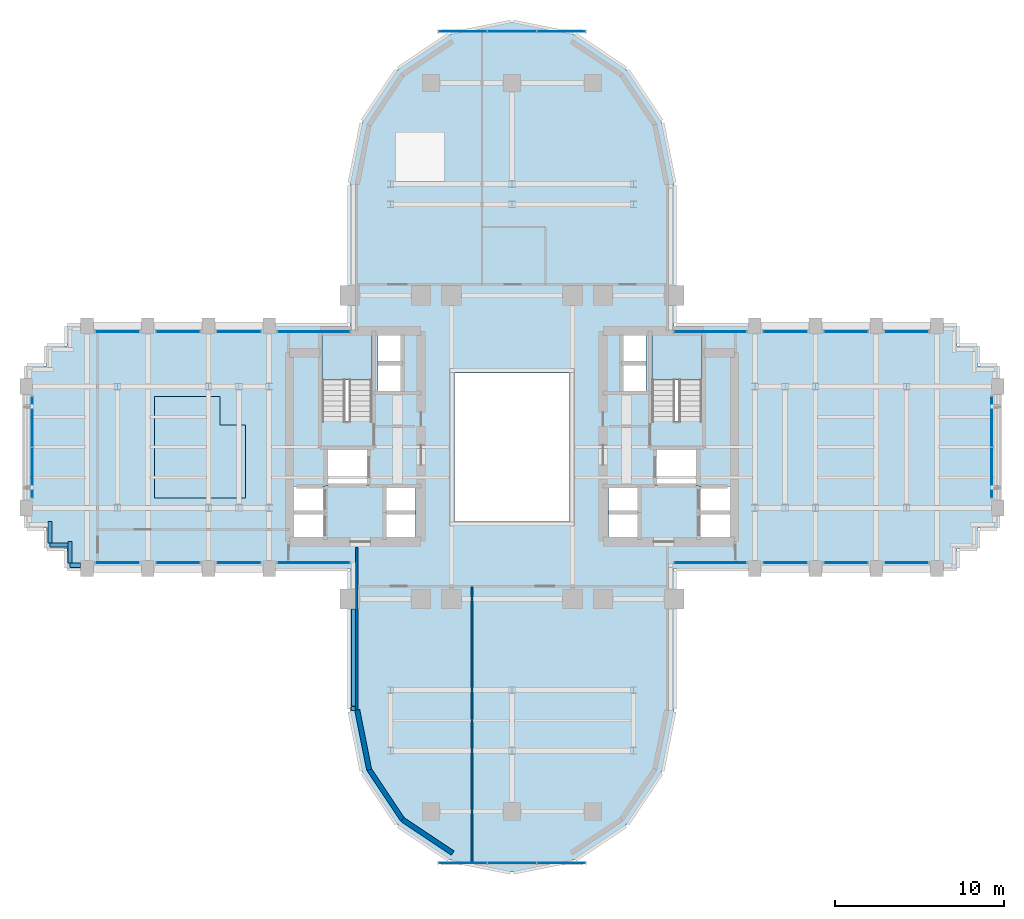
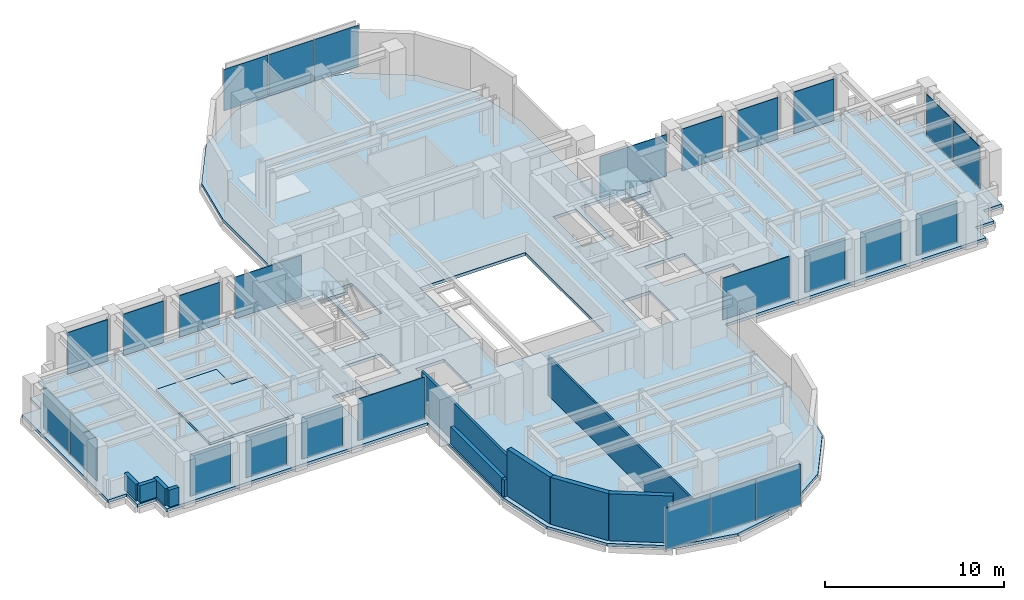
# One storey, part 9 of 16: 26 plates, 11 walls, 4 slabs, 22 elements without a shape of their own.
"""IFC4 building model written with IfcOpenShell, lengths in metres."""

import ifcopenshell
import ifcopenshell.guid

model = None  # the IFC model being written
_history = None  # IfcOwnerHistory: only IFC2X3 demands one
_inside = {}  # id of a spatial element -> (the spatial element, [elements in it])
_under = {}  # id of a project, library or spatial element -> (it, [spatial elements below it])
_declared = {}  # id of a project -> (the project, [libraries it declares])
_typed = {}  # id of a type object -> (the type object, [elements of that type])
_made_of = {}  # id of a material, layer set ... -> (it, [elements and type objects made of it])


def new_model(schema):
    """Start an empty IFC model of exactly this schema.

    Asked for "IFC4X3", IfcOpenShell would pick the latest addendum, in which some entities
    have other attributes; the version numbers below select the first issue.
    IFC2X3 requires an IfcOwnerHistory on every rooted entity: one is made here for all.
    """
    global model, _history
    if schema == "IFC4X3":
        model = ifcopenshell.file(schema_version=(4, 3, 0, 0))
    else:
        model = ifcopenshell.file(schema=schema)
    _inside.clear()
    _under.clear()
    _declared.clear()
    _typed.clear()
    _made_of.clear()
    _history = None
    if model.schema == "IFC2X3":
        org = make("IfcOrganization", Name="unknown")
        user = make(
            "IfcPersonAndOrganization",
            ThePerson=make("IfcPerson", FamilyName="unknown"),
            TheOrganization=org,
        )
        app = make(
            "IfcApplication",
            ApplicationDeveloper=org,
            Version="unknown",
            ApplicationFullName="unknown",
            ApplicationIdentifier="unknown",
        )
        _history = make(
            "IfcOwnerHistory",
            OwningUser=user,
            OwningApplication=app,
            ChangeAction="ADDED",
            CreationDate=0,
        )
    return model


def make(cls, **values):
    """One entity of the class cls with the attributes given. An attribute that is None is left unset."""
    return model.create_entity(
        cls, **{name: value for name, value in values.items() if value is not None}
    )


def rooted(cls, **values):
    """An entity with a GlobalId (a new one), such as an element, a storey or a relation."""
    return make(cls, GlobalId=ifcopenshell.guid.new(), OwnerHistory=_history, **values)


def si_unit(unit_type, name, prefix=None):
    """IfcSIUnit, for example si_unit("LENGTHUNIT", "METRE", prefix="MILLI")."""
    return make("IfcSIUnit", UnitType=unit_type, Prefix=prefix, Name=name)


def assignment(units):
    """IfcUnitAssignment: the units of a project."""
    return None if units is None else make("IfcUnitAssignment", Units=units)


def point(xyz):
    """IfcCartesianPoint."""
    return None if xyz is None else make("IfcCartesianPoint", Coordinates=xyz)


def direction(xyz):
    """IfcDirection."""
    return None if xyz is None else make("IfcDirection", DirectionRatios=xyz)


def frame(location, z_axis=None, x_axis=None):
    """IfcAxis2Placement3D, a coordinate frame: its origin and axes. An axis left out is left unset."""
    return make(
        "IfcAxis2Placement3D",
        Location=point(location),
        Axis=direction(z_axis),
        RefDirection=direction(x_axis),
    )


def frame_2d(location, x_axis=None):
    """IfcAxis2Placement2D, a coordinate frame in the plane: its origin and x axis."""
    return make(
        "IfcAxis2Placement2D", Location=point(location), RefDirection=direction(x_axis)
    )


def origin():
    """The frame at (0, 0, 0) with its axes left unset."""
    return frame((0.0, 0.0, 0.0))


def origin_2d():
    """The frame at (0, 0) in the plane with its x axis left unset."""
    return frame_2d((0.0, 0.0))


def place(relative_to, where):
    """IfcLocalPlacement: puts the frame where relative to a parent placement (None: the world)."""
    return make(
        "IfcLocalPlacement", PlacementRelTo=relative_to, RelativePlacement=where
    )


def context(
    kind, dimensions, precision=None, world=None, true_north=None, identifier=None
):
    """IfcGeometricRepresentationContext, for example the 3D "Model" context."""
    return make(
        "IfcGeometricRepresentationContext",
        ContextIdentifier=identifier,
        ContextType=kind,
        CoordinateSpaceDimension=dimensions,
        Precision=precision,
        WorldCoordinateSystem=world,
        TrueNorth=true_north,
    )


def subcontext(parent, identifier, kind, view, scale=None):
    """IfcGeometricRepresentationSubContext, for example "Body" below "Model"."""
    return make(
        "IfcGeometricRepresentationSubContext",
        ContextIdentifier=identifier,
        ContextType=kind,
        ParentContext=parent,
        TargetScale=scale,
        TargetView=view,
    )


def project(units=None, contexts=None):
    """IfcProject with its units and contexts."""
    return rooted(
        "IfcProject",
        Name="project",
        RepresentationContexts=contexts,
        UnitsInContext=assignment(units),
    )


def spatial(cls, under=None, at=None, **own):
    """A site, building, storey or space (cls), placed at a placement, below another one or the project."""
    s = rooted(cls, ObjectPlacement=at, **own)
    if under is not None:
        _under.setdefault(under.id(), (under, []))[1].append(s)
    return s


def polyline(points):
    """IfcPolyline through the points."""
    return make("IfcPolyline", Points=[point(p) for p in points])


def profile(cls, at=None, kind="AREA", **sizes):
    """A parametric profile (cls). Its sizes go by their IFC names, for example OverallWidth=200.0."""
    return make(cls, ProfileType=kind, Position=at, **sizes)


def rectangle(**sizes):
    """IfcRectangleProfileDef."""
    return profile("IfcRectangleProfileDef", **sizes)


def outline(outer, holes=None, kind="AREA"):
    """IfcArbitraryClosedProfileDef: a profile drawn as a closed curve; with holes, ...WithVoids."""
    if holes is None:
        return make("IfcArbitraryClosedProfileDef", ProfileType=kind, OuterCurve=outer)
    return make(
        "IfcArbitraryProfileDefWithVoids",
        ProfileType=kind,
        OuterCurve=outer,
        InnerCurves=holes,
    )


def extrude(swept, where, along, depth):
    """IfcExtrudedAreaSolid: the profile swept, set in the frame where, extruded along a direction by depth."""
    return make(
        "IfcExtrudedAreaSolid",
        SweptArea=swept,
        Position=where,
        ExtrudedDirection=direction(along),
        Depth=depth,
    )


def shape(context_of_items, identifier, shape_type, items):
    """IfcShapeRepresentation: the items that make up one representation, for example the "Body"."""
    return make(
        "IfcShapeRepresentation",
        ContextOfItems=context_of_items,
        RepresentationIdentifier=identifier,
        RepresentationType=shape_type,
        Items=items,
    )


def source(mapping_origin, context_of_items, identifier, shape_type, items):
    """IfcRepresentationMap: a shape defined once, which mapped items show again and again."""
    return make(
        "IfcRepresentationMap",
        MappingOrigin=mapping_origin,
        MappedRepresentation=shape(context_of_items, identifier, shape_type, items),
    )


def transform(
    local_origin,
    x_axis=None,
    y_axis=None,
    z_axis=None,
    scale=None,
    scale2=None,
    scale3=None,
    uniform=True,
):
    """IfcCartesianTransformationOperator3D, or its non-uniform kind. x_axis, y_axis, z_axis: its Axis1, 2, 3."""
    if uniform:
        return make(
            "IfcCartesianTransformationOperator3D",
            Axis1=direction(x_axis),
            Axis2=direction(y_axis),
            LocalOrigin=point(local_origin),
            Scale=scale,
            Axis3=direction(z_axis),
        )
    return make(
        "IfcCartesianTransformationOperator3DnonUniform",
        Axis1=direction(x_axis),
        Axis2=direction(y_axis),
        LocalOrigin=point(local_origin),
        Scale=scale,
        Axis3=direction(z_axis),
        Scale2=scale2,
        Scale3=scale3,
    )


def mapped(mapping_source, mapping_target):
    """IfcMappedItem: shows the shape of a source again, moved by a transform."""
    return make(
        "IfcMappedItem", MappingSource=mapping_source, MappingTarget=mapping_target
    )


def material(Name=None, Category=None):
    """IfcMaterial."""
    return make("IfcMaterial", Name=Name, Category=Category)


def layer(
    of_material, thickness, ventilated=None, Name=None, Category=None, Priority=None
):
    """IfcMaterialLayer: one layer of a wall or slab, of a material (None: an air gap)."""
    return make(
        "IfcMaterialLayer",
        Material=of_material,
        LayerThickness=thickness,
        IsVentilated=ventilated,
        Name=Name,
        Category=Category,
        Priority=Priority,
    )


def layer_set(layers, Name=None):
    """IfcMaterialLayerSet."""
    return make("IfcMaterialLayerSet", MaterialLayers=layers, LayerSetName=Name)


def made_of(thing, what):
    """Note that an element or type object is made of a material, layer set ...; save() writes the relation."""
    if what is not None:
        _made_of.setdefault(what.id(), (what, []))[1].append(thing)
    return thing


def type_object(cls, material=None, **own):
    """A type object (cls), such as IfcWallType, which elements share."""
    return made_of(rooted(cls, **own), material)


def element(
    cls,
    number,
    at=None,
    inside=None,
    cuts=None,
    type_object=None,
    material=None,
    context=None,
    identifier="Body",
    shape_type=None,
    held_by="IfcProductDefinitionShape",
    body=None,
    shapes=None,
    **own,
):
    """One element of the class cls, such as IfcWall. Its Tag is "e" and its number.

    at: its placement. inside: the storey or other place that contains it. cuts: it is an
    opening in that element (IfcRelVoidsElement). A single representation is given by context,
    identifier, shape_type and body (its items); several are given by shapes. held_by: the class
    of the entity that holds the representations. save() writes the other relations.
    """
    e = rooted(cls, Tag="e%d" % number, ObjectPlacement=at, **own)
    if body is not None:
        shapes = [shape(context, identifier, shape_type, body)]
    if shapes is not None:
        e.Representation = make(held_by, Representations=shapes)
    if inside is not None:
        _inside.setdefault(inside.id(), (inside, []))[1].append(e)
    if cuts is not None:
        rooted(
            "IfcRelVoidsElement", RelatingBuildingElement=cuts, RelatedOpeningElement=e
        )
    if type_object is not None:
        _typed.setdefault(type_object.id(), (type_object, []))[1].append(e)
    return made_of(e, material)


def aggregate(whole, parts):
    """IfcRelAggregates: a whole, such as a stair, and the parts it consists of."""
    return rooted("IfcRelAggregates", RelatingObject=whole, RelatedObjects=parts)


def save(model, path):
    """Write the relations noted so far, then the file.

    IfcRelAggregates (storeys below a building ...), IfcRelContainedInSpatialStructure (elements
    in a storey), IfcRelDefinesByType, IfcRelAssociatesMaterial and IfcRelDeclares: one each for
    every whole, place, type object, material and project.
    """
    for whole, parts in _under.values():
        aggregate(whole, parts)
    for where, things in _inside.values():
        rooted(
            "IfcRelContainedInSpatialStructure",
            RelatedElements=things,
            RelatingStructure=where,
        )
    for kind, things in _typed.values():
        rooted("IfcRelDefinesByType", RelatedObjects=things, RelatingType=kind)
    for what, things in _made_of.values():
        rooted("IfcRelAssociatesMaterial", RelatedObjects=things, RelatingMaterial=what)
    for by, libraries in _declared.values():
        rooted("IfcRelDeclares", RelatingContext=by, RelatedDefinitions=libraries)
    model.write(path)


model = new_model("IFC4")

# Units and contexts
model_context = context("Model", 3, precision=1e-05, world=origin(), true_north=direction((0.0, 1.0)))
body_context = subcontext(model_context, "Body", "Model", "MODEL_VIEW")
ifc_project = project(units=[si_unit("LENGTHUNIT", "METRE"), si_unit("AREAUNIT", "SQUARE_METRE"), si_unit("VOLUMEUNIT", "CUBIC_METRE"), si_unit("PLANEANGLEUNIT", "RADIAN"), si_unit("MASSUNIT", "GRAM", prefix="KILO")], contexts=[model_context])

# Site, building, storey
site_placement = place(None, origin())
site = spatial("IfcSite", under=ifc_project, at=site_placement, CompositionType="ELEMENT")
building_placement = place(site_placement, origin())
building = spatial("IfcBuilding", under=site, at=building_placement, Name="Keilestroom Media Tower", CompositionType="ELEMENT")
storey_placement = place(building_placement, frame((0.0, 0.0, 30.60009765625)))
storey = spatial("IfcBuildingStorey", under=building, at=storey_placement, Name="L06", CompositionType="ELEMENT", Elevation=30.60009765625)

# Slabs
ifc_material_1 = material(Name="Concrete C50/60", Category="concrete")
ifc_layer_1 = layer(ifc_material_1, 0.199951171875)
ifc_layer_set_1 = layer_set([ifc_layer_1], Name="Concrete C50/60")
slab_type_1 = type_object("IfcSlabType", Name="Composite-Floor-Slab-200", PredefinedType="FLOOR", material=ifc_layer_set_1)
slab_1_placement = place(storey_placement, frame((0.0, 0.0, -0.2001953125)))
element("IfcSlab", 1, at=slab_1_placement, inside=storey, type_object=slab_type_1, Name="L06 Structural Composite Floor Slab", PredefinedType="FLOOR", context=body_context, shape_type="SweptSolid", body=[
    extrude(outline(polyline([(28.800048828125, -4.800048828125), (28.800048828125, 4.800048828125), (27.60009765625, 4.800048828125), (27.60009765625, 6.0), (26.39990234375, 6.0), (26.39990234375, 7.199951171875), (9.60009765625, 7.199951171875), (9.60009765625, 9.60009765625), (9.60009765625, 15.60009765625), (8.869140625, 19.273681640625), (6.7880859375, 22.38818359375), (3.673828125, 24.46923828125), (0.0, 25.199951171875), (-3.673828125, 24.46923828125), (-6.7880859375, 22.38818359375), (-8.869140625, 19.273681640625), (-9.60009765625, 15.60009765625), (-9.60009765625, 9.60009765625), (-9.60009765625, 7.199951171875), (-26.39990234375, 7.199951171875), (-26.39990234375, 6.0), (-27.60009765625, 6.0), (-27.60009765625, 4.800048828125), (-28.800048828125, 4.800048828125), (-28.800048828125, -4.800048828125), (-27.60009765625, -4.800048828125), (-27.60009765625, -6.0), (-26.39990234375, -6.0), (-26.39990234375, -7.199951171875), (-9.60009765625, -7.199951171875), (-9.60009765625, -9.60009765625), (-9.60009765625, -15.60009765625), (-8.869140625, -19.273681640625), (-6.7880859375, -22.38818359375), (-3.673828125, -24.46923828125), (0.0, -25.199951171875), (3.673828125, -24.46923828125), (6.7880859375, -22.38818359375), (8.869140625, -19.273681640625), (9.60009765625, -15.60009765625), (9.60009765625, -9.60009765625), (9.60009765625, -7.199951171875), (26.39990234375, -7.199951171875), (26.39990234375, -6.0), (27.60009765625, -6.0), (27.60009765625, -4.800048828125), (28.800048828125, -4.800048828125)]), holes=[polyline([(-12.919921875, -5.47998046875), (-12.919921875, -2.320068359375), (-11.080078125, -2.320068359375), (-11.080078125, -5.47998046875), (-12.919921875, -5.47998046875)]), polyline([(-11.260009765625, 1.544921875), (-11.260009765625, 6.760009765625), (-8.300048828125, 6.760009765625), (-8.300048828125, 1.544921875), (-11.260009765625, 1.544921875)]), polyline([(-11.050048828125, -2.280029296875), (-11.050048828125, -0.10009765625), (-8.47998046875, -0.10009765625), (-8.47998046875, -2.280029296875), (-11.050048828125, -2.280029296875)]), polyline([(-7.949951171875, 3.300048828125), (-7.949951171875, 6.64990234375), (-6.47998046875, 6.64990234375), (-6.47998046875, 3.300048828125), (-7.949951171875, 3.300048828125)]), polyline([(-7.56005859375, -5.47998046875), (-7.56005859375, -2.320068359375), (-5.719970703125, -2.320068359375), (-5.719970703125, -5.47998046875), (-7.56005859375, -5.47998046875)]), polyline([(-3.39990234375, -4.39990234375), (-3.39990234375, 4.39990234375), (3.39990234375, 4.39990234375), (3.39990234375, -4.39990234375), (-3.39990234375, -4.39990234375)]), polyline([(5.719970703125, -5.47998046875), (5.719970703125, -2.320068359375), (7.56005859375, -2.320068359375), (7.56005859375, -5.47998046875), (5.719970703125, -5.47998046875)]), polyline([(7.949951171875, 6.64990234375), (7.949951171875, 3.300048828125), (6.47998046875, 3.300048828125), (6.47998046875, 6.64990234375), (7.949951171875, 6.64990234375)]), polyline([(8.300048828125, 6.760009765625), (11.260009765625, 6.760009765625), (11.260009765625, 1.544921875), (8.300048828125, 1.544921875), (8.300048828125, 6.760009765625)]), polyline([(8.47998046875, -2.280029296875), (8.47998046875, -0.10009765625), (11.050048828125, -0.10009765625), (11.050048828125, -2.280029296875), (8.47998046875, -2.280029296875)]), polyline([(12.919921875, -5.47998046875), (11.080078125, -5.47998046875), (11.080078125, -2.320068359375), (12.919921875, -2.320068359375), (12.919921875, -5.47998046875)])]), origin(), (0.0, 0.0, 1.0), 0.2001953125),
])
ifc_material_2 = material(Name="Concrete C45/55", Category="concrete")
ifc_layer_2 = layer(ifc_material_2, 0.14990234375)
ifc_layer_set_2 = layer_set([ifc_layer_2], Name="Concrete C45/55")
slab_type_2 = type_object("IfcSlabType", Name="Floating-Studio-Floor-Slab-150", PredefinedType="FLOOR", material=ifc_layer_set_2)
slab_2_placement = place(storey_placement, origin())
element("IfcSlab", 2, at=slab_2_placement, inside=storey, type_object=slab_type_2, Name="L06 Acoustic Floating Studio Slab ST-NWS-Z1", PredefinedType="FLOOR", context=body_context, shape_type="SweptSolid", body=[
    extrude(outline(polyline([(-21.199951171875, -3.0), (-15.800048828125, -3.0), (-15.800048828125, 1.320068359375), (-17.31201171875, 1.320068359375), (-17.31201171875, 3.0), (-21.199951171875, 3.0), (-21.199951171875, -3.0)])), origin(), (0.0, 0.0, 1.0), 0.14990234375),
])

# Stair, slab
stair_type = type_object("IfcStairType", Name="Enclosed-Dog-Leg-Stair-ST-CORE", PredefinedType="HALF_TURN_STAIR", material=ifc_material_2)
stair_1_placement = place(storey_placement, origin())
stair_1 = element("IfcStair", 3, at=stair_1_placement, inside=storey, type_object=stair_type, Name="L06 West Core Escape Stair ST-1", PredefinedType="HALF_TURN_STAIR")
ifc_layer_3 = layer(ifc_material_2, 0.199951171875)
ifc_layer_set_3 = layer_set([ifc_layer_3], Name="Concrete C45/55")
slab_type_3 = type_object("IfcSlabType", Name="Stair-Intermediate-And-Top-Landing-Slab-200", PredefinedType="LANDING", material=ifc_layer_set_3)
slab_3_placement = place(storey_placement, frame((0.0, 0.0, 1.5)))
slab_3 = element("IfcSlab", 4, at=slab_3_placement, type_object=slab_type_3, Name="ST-1 landing 1", PredefinedType="LANDING", context=body_context, shape_type="SweptSolid", body=[
    extrude(outline(polyline([(-8.300048828125, 3.99609375), (-8.300048828125, 6.760009765625), (-11.260009765625, 6.760009765625), (-11.260009765625, 3.99609375), (-8.300048828125, 3.99609375)])), origin(), (0.0, 0.0, 1.0), 0.199951171875),
])
aggregate(stair_1, [slab_3])

stair_2_placement = place(storey_placement, origin())
stair_2 = element("IfcStair", 5, at=stair_2_placement, inside=storey, type_object=stair_type, Name="L06 East Core Escape Stair ST-2", PredefinedType="HALF_TURN_STAIR")
slab_4_placement = place(storey_placement, frame((0.0, 0.0, 1.5)))
slab_4 = element("IfcSlab", 6, at=slab_4_placement, type_object=slab_type_3, Name="ST-2 landing 1", PredefinedType="LANDING", context=body_context, shape_type="SweptSolid", body=[
    extrude(outline(polyline([(11.260009765625, 3.99609375), (11.260009765625, 6.760009765625), (8.300048828125, 6.760009765625), (8.300048828125, 3.99609375), (11.260009765625, 3.99609375)])), origin(), (0.0, 0.0, 1.0), 0.199951171875),
])
aggregate(stair_2, [slab_4])

# Curtain wall, plates
ifc_material_3 = material(Name="Anodised Aluminium Alloy", Category="aluminium")
curtain_wall_type_1 = type_object("IfcCurtainWallType", Name="Unitised-Curtain-Wall-CW-1", PredefinedType="NOTDEFINED", material=ifc_material_3)
curtain_wall_1_placement = place(storey_placement, origin())
curtain_wall_1 = element("IfcCurtainWall", 7, at=curtain_wall_1_placement, inside=storey, type_object=curtain_wall_type_1, Name="L06 Curtain Wall CW-1 CW-L06-W-1", PredefinedType="NOTDEFINED")
ifc_material_4 = material(Name="Double Glazed Low-E Unit", Category="glass")
ifc_layer_4 = layer(ifc_material_4, 0.0439453125)
ifc_layer_set_4 = layer_set([ifc_layer_4], Name="Double Glazed Low-E Unit")
plate_type_1 = type_object("IfcPlateType", Name="Insulated-Curtain-Wall-Glazing-Panel-CW-1", PredefinedType="CURTAIN_PANEL", material=ifc_layer_set_4)
shared_shape_1 = source(origin(), body_context, "Body", "SweptSolid", [
    extrude(rectangle(XDim=2.968017578125, YDim=0.0439453125, at=origin_2d()), origin(), (0.0, 0.0, 1.0), 2.833984375),
])
plate_1_placement = place(storey_placement, frame((-28.449951171875, -1.514892578125, 0.072998046875), z_axis=(0.0, 0.0, 1.0), x_axis=(0.0, 1.0, 0.0)))
plate_1 = element("IfcPlate", 8, at=plate_1_placement, type_object=plate_type_1, Name="CW-1 Unitised Glazing 00", PredefinedType="CURTAIN_PANEL", context=body_context, shape_type="MappedRepresentation", body=[
    mapped(shared_shape_1, transform((0.0, 0.0, 0.0), x_axis=(1.0, 0.0, 0.0), y_axis=(0.0, 1.0, 0.0), z_axis=(0.0, 0.0, 1.0), scale=1.0)),
])
plate_2_placement = place(storey_placement, frame((-28.449951171875, 1.514892578125, 0.072998046875), z_axis=(0.0, 0.0, 1.0), x_axis=(0.0, 1.0, 0.0)))
plate_2 = element("IfcPlate", 9, at=plate_2_placement, type_object=plate_type_1, Name="CW-1 Unitised Glazing 01", PredefinedType="CURTAIN_PANEL", context=body_context, shape_type="MappedRepresentation", body=[
    mapped(shared_shape_1, transform((0.0, 0.0, 0.0), x_axis=(1.0, 0.0, 0.0), y_axis=(0.0, 1.0, 0.0), z_axis=(0.0, 0.0, 1.0), scale=1.0)),
])
aggregate(curtain_wall_1, [plate_1, plate_2])

curtain_wall_2_placement = place(storey_placement, origin())
curtain_wall_2 = element("IfcCurtainWall", 10, at=curtain_wall_2_placement, inside=storey, type_object=curtain_wall_type_1, Name="L06 Curtain Wall CW-1 CW-L06-E-1", PredefinedType="NOTDEFINED")
plate_3_placement = place(storey_placement, frame((28.449951171875, -1.514892578125, 0.072998046875), z_axis=(0.0, 0.0, 1.0), x_axis=(0.0, 1.0, 0.0)))
plate_3 = element("IfcPlate", 11, at=plate_3_placement, type_object=plate_type_1, Name="CW-1 Unitised Glazing 00", PredefinedType="CURTAIN_PANEL", context=body_context, shape_type="MappedRepresentation", body=[
    mapped(shared_shape_1, transform((0.0, 0.0, 0.0), x_axis=(1.0, 0.0, 0.0), y_axis=(0.0, 1.0, 0.0), z_axis=(0.0, 0.0, 1.0), scale=1.0)),
])
plate_4_placement = place(storey_placement, frame((28.449951171875, 1.514892578125, 0.072998046875), z_axis=(0.0, 0.0, 1.0), x_axis=(0.0, 1.0, 0.0)))
plate_4 = element("IfcPlate", 12, at=plate_4_placement, type_object=plate_type_1, Name="CW-1 Unitised Glazing 01", PredefinedType="CURTAIN_PANEL", context=body_context, shape_type="MappedRepresentation", body=[
    mapped(shared_shape_1, transform((0.0, 0.0, 0.0), x_axis=(1.0, 0.0, 0.0), y_axis=(0.0, 1.0, 0.0), z_axis=(0.0, 0.0, 1.0), scale=1.0)),
])
aggregate(curtain_wall_2, [plate_3, plate_4])

# Curtain wall, plate
curtain_wall_3_placement = place(storey_placement, origin())
curtain_wall_3 = element("IfcCurtainWall", 13, at=curtain_wall_3_placement, inside=storey, type_object=curtain_wall_type_1, Name="L06 Curtain Wall CW-1 CW-L06-NW-1", PredefinedType="NOTDEFINED")
shared_shape_2 = source(origin(), body_context, "Body", "SweptSolid", [
    extrude(rectangle(XDim=2.597900390625, YDim=0.0439453125, at=origin_2d()), origin(), (0.0, 0.0, 1.0), 2.833984375),
])
plate_5_placement = place(storey_placement, frame((-23.39990234375, 6.85009765625, 0.072998046875), z_axis=(0.0, 0.0, 1.0), x_axis=(1.0, 0.0, 0.0)))
plate_5 = element("IfcPlate", 14, at=plate_5_placement, type_object=plate_type_1, Name="CW-1 Unitised Glazing 00", PredefinedType="CURTAIN_PANEL", context=body_context, shape_type="MappedRepresentation", body=[
    mapped(shared_shape_2, transform((0.0, 0.0, 0.0), x_axis=(1.0, 0.0, 0.0), y_axis=(0.0, 1.0, 0.0), z_axis=(0.0, 0.0, 1.0), scale=1.0)),
])
aggregate(curtain_wall_3, [plate_5])

curtain_wall_4_placement = place(storey_placement, origin())
curtain_wall_4 = element("IfcCurtainWall", 15, at=curtain_wall_4_placement, inside=storey, type_object=curtain_wall_type_1, Name="L06 Curtain Wall CW-1 CW-L06-NW-2", PredefinedType="NOTDEFINED")
plate_6_placement = place(storey_placement, frame((-19.800048828125, 6.85009765625, 0.072998046875), z_axis=(0.0, 0.0, 1.0), x_axis=(1.0, 0.0, 0.0)))
plate_6 = element("IfcPlate", 16, at=plate_6_placement, type_object=plate_type_1, Name="CW-1 Unitised Glazing 00", PredefinedType="CURTAIN_PANEL", context=body_context, shape_type="MappedRepresentation", body=[
    mapped(shared_shape_2, transform((0.0, 0.0, 0.0), x_axis=(1.0, 0.0, 0.0), y_axis=(0.0, 1.0, 0.0), z_axis=(0.0, 0.0, 1.0), scale=1.0)),
])
aggregate(curtain_wall_4, [plate_6])

curtain_wall_5_placement = place(storey_placement, origin())
curtain_wall_5 = element("IfcCurtainWall", 17, at=curtain_wall_5_placement, inside=storey, type_object=curtain_wall_type_1, Name="L06 Curtain Wall CW-1 CW-L06-NW-3", PredefinedType="NOTDEFINED")
plate_7_placement = place(storey_placement, frame((-16.199951171875, 6.85009765625, 0.072998046875), z_axis=(0.0, 0.0, 1.0), x_axis=(1.0, 0.0, 0.0)))
plate_7 = element("IfcPlate", 18, at=plate_7_placement, type_object=plate_type_1, Name="CW-1 Unitised Glazing 00", PredefinedType="CURTAIN_PANEL", context=body_context, shape_type="MappedRepresentation", body=[
    mapped(shared_shape_2, transform((0.0, 0.0, 0.0), x_axis=(1.0, 0.0, 0.0), y_axis=(0.0, 1.0, 0.0), z_axis=(0.0, 0.0, 1.0), scale=1.0)),
])
aggregate(curtain_wall_5, [plate_7])

curtain_wall_6_placement = place(storey_placement, origin())
curtain_wall_6 = element("IfcCurtainWall", 19, at=curtain_wall_6_placement, inside=storey, type_object=curtain_wall_type_1, Name="L06 Curtain Wall CW-1 CW-L06-NE-2", PredefinedType="NOTDEFINED")
plate_8_placement = place(storey_placement, frame((16.199951171875, 6.85009765625, 0.072998046875), z_axis=(0.0, 0.0, 1.0), x_axis=(1.0, 0.0, 0.0)))
plate_8 = element("IfcPlate", 20, at=plate_8_placement, type_object=plate_type_1, Name="CW-1 Unitised Glazing 00", PredefinedType="CURTAIN_PANEL", context=body_context, shape_type="MappedRepresentation", body=[
    mapped(shared_shape_2, transform((0.0, 0.0, 0.0), x_axis=(1.0, 0.0, 0.0), y_axis=(0.0, 1.0, 0.0), z_axis=(0.0, 0.0, 1.0), scale=1.0)),
])
aggregate(curtain_wall_6, [plate_8])

curtain_wall_7_placement = place(storey_placement, origin())
curtain_wall_7 = element("IfcCurtainWall", 21, at=curtain_wall_7_placement, inside=storey, type_object=curtain_wall_type_1, Name="L06 Curtain Wall CW-1 CW-L06-NE-3", PredefinedType="NOTDEFINED")
plate_9_placement = place(storey_placement, frame((19.800048828125, 6.85009765625, 0.072998046875), z_axis=(0.0, 0.0, 1.0), x_axis=(1.0, 0.0, 0.0)))
plate_9 = element("IfcPlate", 22, at=plate_9_placement, type_object=plate_type_1, Name="CW-1 Unitised Glazing 00", PredefinedType="CURTAIN_PANEL", context=body_context, shape_type="MappedRepresentation", body=[
    mapped(shared_shape_2, transform((0.0, 0.0, 0.0), x_axis=(1.0, 0.0, 0.0), y_axis=(0.0, 1.0, 0.0), z_axis=(0.0, 0.0, 1.0), scale=1.0)),
])
aggregate(curtain_wall_7, [plate_9])

curtain_wall_8_placement = place(storey_placement, origin())
curtain_wall_8 = element("IfcCurtainWall", 23, at=curtain_wall_8_placement, inside=storey, type_object=curtain_wall_type_1, Name="L06 Curtain Wall CW-1 CW-L06-NE-4", PredefinedType="NOTDEFINED")
plate_10_placement = place(storey_placement, frame((23.39990234375, 6.85009765625, 0.072998046875), z_axis=(0.0, 0.0, 1.0), x_axis=(1.0, 0.0, 0.0)))
plate_10 = element("IfcPlate", 24, at=plate_10_placement, type_object=plate_type_1, Name="CW-1 Unitised Glazing 00", PredefinedType="CURTAIN_PANEL", context=body_context, shape_type="MappedRepresentation", body=[
    mapped(shared_shape_2, transform((0.0, 0.0, 0.0), x_axis=(1.0, 0.0, 0.0), y_axis=(0.0, 1.0, 0.0), z_axis=(0.0, 0.0, 1.0), scale=1.0)),
])
aggregate(curtain_wall_8, [plate_10])

curtain_wall_9_placement = place(storey_placement, origin())
curtain_wall_9 = element("IfcCurtainWall", 25, at=curtain_wall_9_placement, inside=storey, type_object=curtain_wall_type_1, Name="L06 Curtain Wall CW-1 CW-L06-SW-1", PredefinedType="NOTDEFINED")
plate_11_placement = place(storey_placement, frame((-23.39990234375, -6.85009765625, 0.072998046875), z_axis=(0.0, 0.0, 1.0), x_axis=(1.0, 0.0, 0.0)))
plate_11 = element("IfcPlate", 26, at=plate_11_placement, type_object=plate_type_1, Name="CW-1 Unitised Glazing 00", PredefinedType="CURTAIN_PANEL", context=body_context, shape_type="MappedRepresentation", body=[
    mapped(shared_shape_2, transform((0.0, 0.0, 0.0), x_axis=(1.0, 0.0, 0.0), y_axis=(0.0, 1.0, 0.0), z_axis=(0.0, 0.0, 1.0), scale=1.0)),
])
aggregate(curtain_wall_9, [plate_11])

curtain_wall_10_placement = place(storey_placement, origin())
curtain_wall_10 = element("IfcCurtainWall", 27, at=curtain_wall_10_placement, inside=storey, type_object=curtain_wall_type_1, Name="L06 Curtain Wall CW-1 CW-L06-SW-2", PredefinedType="NOTDEFINED")
plate_12_placement = place(storey_placement, frame((-19.800048828125, -6.85009765625, 0.072998046875), z_axis=(0.0, 0.0, 1.0), x_axis=(1.0, 0.0, 0.0)))
plate_12 = element("IfcPlate", 28, at=plate_12_placement, type_object=plate_type_1, Name="CW-1 Unitised Glazing 00", PredefinedType="CURTAIN_PANEL", context=body_context, shape_type="MappedRepresentation", body=[
    mapped(shared_shape_2, transform((0.0, 0.0, 0.0), x_axis=(1.0, 0.0, 0.0), y_axis=(0.0, 1.0, 0.0), z_axis=(0.0, 0.0, 1.0), scale=1.0)),
])
aggregate(curtain_wall_10, [plate_12])

curtain_wall_11_placement = place(storey_placement, origin())
curtain_wall_11 = element("IfcCurtainWall", 29, at=curtain_wall_11_placement, inside=storey, type_object=curtain_wall_type_1, Name="L06 Curtain Wall CW-1 CW-L06-SW-3", PredefinedType="NOTDEFINED")
plate_13_placement = place(storey_placement, frame((-16.199951171875, -6.85009765625, 0.072998046875), z_axis=(0.0, 0.0, 1.0), x_axis=(1.0, 0.0, 0.0)))
plate_13 = element("IfcPlate", 30, at=plate_13_placement, type_object=plate_type_1, Name="CW-1 Unitised Glazing 00", PredefinedType="CURTAIN_PANEL", context=body_context, shape_type="MappedRepresentation", body=[
    mapped(shared_shape_2, transform((0.0, 0.0, 0.0), x_axis=(1.0, 0.0, 0.0), y_axis=(0.0, 1.0, 0.0), z_axis=(0.0, 0.0, 1.0), scale=1.0)),
])
aggregate(curtain_wall_11, [plate_13])

curtain_wall_12_placement = place(storey_placement, origin())
curtain_wall_12 = element("IfcCurtainWall", 31, at=curtain_wall_12_placement, inside=storey, type_object=curtain_wall_type_1, Name="L06 Curtain Wall CW-1 CW-L06-SE-2", PredefinedType="NOTDEFINED")
plate_14_placement = place(storey_placement, frame((16.199951171875, -6.85009765625, 0.072998046875), z_axis=(0.0, 0.0, 1.0), x_axis=(1.0, 0.0, 0.0)))
plate_14 = element("IfcPlate", 32, at=plate_14_placement, type_object=plate_type_1, Name="CW-1 Unitised Glazing 00", PredefinedType="CURTAIN_PANEL", context=body_context, shape_type="MappedRepresentation", body=[
    mapped(shared_shape_2, transform((0.0, 0.0, 0.0), x_axis=(1.0, 0.0, 0.0), y_axis=(0.0, 1.0, 0.0), z_axis=(0.0, 0.0, 1.0), scale=1.0)),
])
aggregate(curtain_wall_12, [plate_14])

curtain_wall_13_placement = place(storey_placement, origin())
curtain_wall_13 = element("IfcCurtainWall", 33, at=curtain_wall_13_placement, inside=storey, type_object=curtain_wall_type_1, Name="L06 Curtain Wall CW-1 CW-L06-SE-3", PredefinedType="NOTDEFINED")
plate_15_placement = place(storey_placement, frame((19.800048828125, -6.85009765625, 0.072998046875), z_axis=(0.0, 0.0, 1.0), x_axis=(1.0, 0.0, 0.0)))
plate_15 = element("IfcPlate", 34, at=plate_15_placement, type_object=plate_type_1, Name="CW-1 Unitised Glazing 00", PredefinedType="CURTAIN_PANEL", context=body_context, shape_type="MappedRepresentation", body=[
    mapped(shared_shape_2, transform((0.0, 0.0, 0.0), x_axis=(1.0, 0.0, 0.0), y_axis=(0.0, 1.0, 0.0), z_axis=(0.0, 0.0, 1.0), scale=1.0)),
])
aggregate(curtain_wall_13, [plate_15])

curtain_wall_14_placement = place(storey_placement, origin())
curtain_wall_14 = element("IfcCurtainWall", 35, at=curtain_wall_14_placement, inside=storey, type_object=curtain_wall_type_1, Name="L06 Curtain Wall CW-1 CW-L06-SE-4", PredefinedType="NOTDEFINED")
plate_16_placement = place(storey_placement, frame((23.39990234375, -6.85009765625, 0.072998046875), z_axis=(0.0, 0.0, 1.0), x_axis=(1.0, 0.0, 0.0)))
plate_16 = element("IfcPlate", 36, at=plate_16_placement, type_object=plate_type_1, Name="CW-1 Unitised Glazing 00", PredefinedType="CURTAIN_PANEL", context=body_context, shape_type="MappedRepresentation", body=[
    mapped(shared_shape_2, transform((0.0, 0.0, 0.0), x_axis=(1.0, 0.0, 0.0), y_axis=(0.0, 1.0, 0.0), z_axis=(0.0, 0.0, 1.0), scale=1.0)),
])
aggregate(curtain_wall_14, [plate_16])

curtain_wall_15_placement = place(storey_placement, origin())
curtain_wall_15 = element("IfcCurtainWall", 37, at=curtain_wall_15_placement, inside=storey, type_object=curtain_wall_type_1, Name="L06 Curtain Wall CW-1 CW-L06-NW-4", PredefinedType="NOTDEFINED")
shared_shape_3 = source(origin(), body_context, "Body", "SweptSolid", [
    extrude(rectangle(XDim=4.282958984375, YDim=0.0439453125, at=origin_2d()), origin(), (0.0, 0.0, 1.0), 2.833984375),
])
plate_17_placement = place(storey_placement, frame((-11.757568359375, 6.85009765625, 0.072998046875), z_axis=(0.0, 0.0, 1.0), x_axis=(1.0, 0.0, 0.0)))
plate_17 = element("IfcPlate", 38, at=plate_17_placement, type_object=plate_type_1, Name="CW-1 Unitised Glazing 00", PredefinedType="CURTAIN_PANEL", context=body_context, shape_type="MappedRepresentation", body=[
    mapped(shared_shape_3, transform((0.0, 0.0, 0.0), x_axis=(1.0, 0.0, 0.0), y_axis=(0.0, 1.0, 0.0), z_axis=(0.0, 0.0, 1.0), scale=1.0)),
])
aggregate(curtain_wall_15, [plate_17])

curtain_wall_16_placement = place(storey_placement, origin())
curtain_wall_16 = element("IfcCurtainWall", 39, at=curtain_wall_16_placement, inside=storey, type_object=curtain_wall_type_1, Name="L06 Curtain Wall CW-1 CW-L06-NE-1", PredefinedType="NOTDEFINED")
plate_18_placement = place(storey_placement, frame((11.757568359375, 6.85009765625, 0.072998046875), z_axis=(0.0, 0.0, 1.0), x_axis=(1.0, 0.0, 0.0)))
plate_18 = element("IfcPlate", 40, at=plate_18_placement, type_object=plate_type_1, Name="CW-1 Unitised Glazing 00", PredefinedType="CURTAIN_PANEL", context=body_context, shape_type="MappedRepresentation", body=[
    mapped(shared_shape_3, transform((0.0, 0.0, 0.0), x_axis=(1.0, 0.0, 0.0), y_axis=(0.0, 1.0, 0.0), z_axis=(0.0, 0.0, 1.0), scale=1.0)),
])
aggregate(curtain_wall_16, [plate_18])

curtain_wall_17_placement = place(storey_placement, origin())
curtain_wall_17 = element("IfcCurtainWall", 41, at=curtain_wall_17_placement, inside=storey, type_object=curtain_wall_type_1, Name="L06 Curtain Wall CW-1 CW-L06-SW-4", PredefinedType="NOTDEFINED")
plate_19_placement = place(storey_placement, frame((-11.757568359375, -6.85009765625, 0.072998046875), z_axis=(0.0, 0.0, 1.0), x_axis=(1.0, 0.0, 0.0)))
plate_19 = element("IfcPlate", 42, at=plate_19_placement, type_object=plate_type_1, Name="CW-1 Unitised Glazing 00", PredefinedType="CURTAIN_PANEL", context=body_context, shape_type="MappedRepresentation", body=[
    mapped(shared_shape_3, transform((0.0, 0.0, 0.0), x_axis=(1.0, 0.0, 0.0), y_axis=(0.0, 1.0, 0.0), z_axis=(0.0, 0.0, 1.0), scale=1.0)),
])
aggregate(curtain_wall_17, [plate_19])

curtain_wall_18_placement = place(storey_placement, origin())
curtain_wall_18 = element("IfcCurtainWall", 43, at=curtain_wall_18_placement, inside=storey, type_object=curtain_wall_type_1, Name="L06 Curtain Wall CW-1 CW-L06-SE-1", PredefinedType="NOTDEFINED")
plate_20_placement = place(storey_placement, frame((11.757568359375, -6.85009765625, 0.072998046875), z_axis=(0.0, 0.0, 1.0), x_axis=(1.0, 0.0, 0.0)))
plate_20 = element("IfcPlate", 44, at=plate_20_placement, type_object=plate_type_1, Name="CW-1 Unitised Glazing 00", PredefinedType="CURTAIN_PANEL", context=body_context, shape_type="MappedRepresentation", body=[
    mapped(shared_shape_3, transform((0.0, 0.0, 0.0), x_axis=(1.0, 0.0, 0.0), y_axis=(0.0, 1.0, 0.0), z_axis=(0.0, 0.0, 1.0), scale=1.0)),
])
aggregate(curtain_wall_18, [plate_20])

# Curtain wall, plates
curtain_wall_type_2 = type_object("IfcCurtainWallType", Name="Unitised-Curtain-Wall-CW-6", PredefinedType="NOTDEFINED", material=ifc_material_3)
curtain_wall_19_placement = place(storey_placement, origin())
curtain_wall_19 = element("IfcCurtainWall", 45, at=curtain_wall_19_placement, inside=storey, type_object=curtain_wall_type_2, Name="L06 Curtain Wall CW-6 CW-L06-LN-1", PredefinedType="NOTDEFINED")
ifc_material_5 = material(Name="Curved-Facet Triple Glazed Unit", Category="glass")
ifc_layer_5 = layer(ifc_material_5, 0.033935546875)
ifc_layer_set_5 = layer_set([ifc_layer_5], Name="Curved-Facet Triple Glazed Unit")
plate_type_2 = type_object("IfcPlateType", Name="Insulated-Curtain-Wall-Glazing-Panel-CW-6", PredefinedType="CURTAIN_PANEL", material=ifc_layer_set_5)
shared_shape_4 = source(origin(), body_context, "Body", "SweptSolid", [
    extrude(rectangle(XDim=2.84375, YDim=0.033935546875, at=origin_2d()), origin(), (0.0, 0.0, 1.0), 2.833984375),
])
plate_21_placement = place(storey_placement, frame((-2.9169921875, 24.64990234375, 0.072998046875), z_axis=(0.0, 0.0, 1.0), x_axis=(1.0, 0.0, 0.0)))
plate_21 = element("IfcPlate", 46, at=plate_21_placement, type_object=plate_type_2, Name="CW-6 Unitised Glazing 00", PredefinedType="CURTAIN_PANEL", context=body_context, shape_type="MappedRepresentation", body=[
    mapped(shared_shape_4, transform((0.0, 0.0, 0.0), x_axis=(1.0, 0.0, 0.0), y_axis=(0.0, 1.0, 0.0), z_axis=(0.0, 0.0, 1.0), scale=1.0)),
])
plate_22_placement = place(storey_placement, frame((2.9169921875, 24.64990234375, 0.072998046875), z_axis=(0.0, 0.0, 1.0), x_axis=(1.0, 0.0, 0.0)))
plate_22 = element("IfcPlate", 47, at=plate_22_placement, type_object=plate_type_2, Name="CW-6 Unitised Glazing 02", PredefinedType="CURTAIN_PANEL", context=body_context, shape_type="MappedRepresentation", body=[
    mapped(shared_shape_4, transform((0.0, 0.0, 0.0), x_axis=(1.0, 0.0, 0.0), y_axis=(0.0, 1.0, 0.0), z_axis=(0.0, 0.0, 1.0), scale=1.0)),
])

curtain_wall_20_placement = place(storey_placement, origin())
curtain_wall_20 = element("IfcCurtainWall", 48, at=curtain_wall_20_placement, inside=storey, type_object=curtain_wall_type_2, Name="L06 Curtain Wall CW-6 CW-L06-LS-1", PredefinedType="NOTDEFINED")
plate_23_placement = place(storey_placement, frame((-2.9169921875, -24.64990234375, 0.072998046875), z_axis=(0.0, 0.0, 1.0), x_axis=(1.0, 0.0, 0.0)))
plate_23 = element("IfcPlate", 49, at=plate_23_placement, type_object=plate_type_2, Name="CW-6 Unitised Glazing 00", PredefinedType="CURTAIN_PANEL", context=body_context, shape_type="MappedRepresentation", body=[
    mapped(shared_shape_4, transform((0.0, 0.0, 0.0), x_axis=(1.0, 0.0, 0.0), y_axis=(0.0, 1.0, 0.0), z_axis=(0.0, 0.0, 1.0), scale=1.0)),
])
plate_24_placement = place(storey_placement, frame((2.9169921875, -24.64990234375, 0.072998046875), z_axis=(0.0, 0.0, 1.0), x_axis=(1.0, 0.0, 0.0)))
plate_24 = element("IfcPlate", 50, at=plate_24_placement, type_object=plate_type_2, Name="CW-6 Unitised Glazing 02", PredefinedType="CURTAIN_PANEL", context=body_context, shape_type="MappedRepresentation", body=[
    mapped(shared_shape_4, transform((0.0, 0.0, 0.0), x_axis=(1.0, 0.0, 0.0), y_axis=(0.0, 1.0, 0.0), z_axis=(0.0, 0.0, 1.0), scale=1.0)),
])

# Plate
shared_shape_5 = source(origin(), body_context, "Body", "SweptSolid", [
    extrude(rectangle(XDim=2.876220703125, YDim=0.033935546875, at=origin_2d()), origin(), (0.0, 0.0, 1.0), 2.833984375),
])
plate_25_placement = place(storey_placement, frame((0.0, 24.64990234375, 0.072998046875), z_axis=(0.0, 0.0, 1.0), x_axis=(1.0, 0.0, 0.0)))
plate_25 = element("IfcPlate", 51, at=plate_25_placement, type_object=plate_type_2, Name="CW-6 Unitised Glazing 01", PredefinedType="CURTAIN_PANEL", context=body_context, shape_type="MappedRepresentation", body=[
    mapped(shared_shape_5, transform((0.0, 0.0, 0.0), x_axis=(1.0, 0.0, 0.0), y_axis=(0.0, 1.0, 0.0), z_axis=(0.0, 0.0, 1.0), scale=1.0)),
])

aggregate(curtain_wall_19, [plate_21, plate_25, plate_22])

plate_26_placement = place(storey_placement, frame((0.0, -24.64990234375, 0.072998046875), z_axis=(0.0, 0.0, 1.0), x_axis=(1.0, 0.0, 0.0)))
plate_26 = element("IfcPlate", 52, at=plate_26_placement, type_object=plate_type_2, Name="CW-6 Unitised Glazing 01", PredefinedType="CURTAIN_PANEL", context=body_context, shape_type="MappedRepresentation", body=[
    mapped(shared_shape_5, transform((0.0, 0.0, 0.0), x_axis=(1.0, 0.0, 0.0), y_axis=(0.0, 1.0, 0.0), z_axis=(0.0, 0.0, 1.0), scale=1.0)),
])

aggregate(curtain_wall_20, [plate_23, plate_26, plate_24])

# Walls
ifc_material_6 = material(Name="Precast concrete C40/50", Category="concrete")
ifc_layer_6 = layer(ifc_material_6, 0.300048828125)
ifc_layer_set_6 = layer_set([ifc_layer_6], Name="Precast concrete C40/50")
wall_type_1 = type_object("IfcWallType", Name="Exterior-Masonry-Spandrel-Wall-300", PredefinedType="SOLIDWALL", material=ifc_layer_set_6)
for number, where, z_axis, x_axis, name in (
    (53, (-9.1748046875, -15.585205078125, 0.0), (0.0, 0.0, 1.0), (0.195114232679, -0.980780523974, 0.0), "L06 Lobe Facet Precast Frame Wall 07"),
    (54, (-8.48193359375, -19.097412109375, 0.0), (0.0, 0.0, 1.0), (0.555574187116, -0.831466970246, 0.0), "L06 Lobe Facet Precast Frame Wall 08"),
):
    element("IfcWall", number, at=place(storey_placement, frame(where, z_axis=z_axis, x_axis=x_axis)), inside=storey, type_object=wall_type_1, Name=name, PredefinedType="SOLIDWALL", context=body_context, shape_type="SweptSolid", body=[
        extrude(rectangle(XDim=3.608642578125, YDim=0.300048828125, at=frame_2d((1.80419921875, 0.0))), origin(), (0.0, 0.0, 1.0), 3.199951171875),
    ])
wall_1_placement = place(storey_placement, frame((-6.497802734375, -22.0771484375, 0.0), z_axis=(0.0, 0.0, 1.0), x_axis=(0.8314749531, -0.555562239868, 0.0)))
element("IfcWall", 55, at=wall_1_placement, inside=storey, type_object=wall_type_1, Name="L06 Lobe Facet Precast Frame Wall 09", PredefinedType="SOLIDWALL", context=body_context, shape_type="SweptSolid", body=[
    extrude(rectangle(XDim=3.59326171875, YDim=0.300048828125, at=frame_2d((1.796630859375, 0.0))), origin(), (0.0, 0.0, 1.0), 3.199951171875),
])
ifc_material_7 = material(Name="Gypsum Plasterboard & Steel Stud", Category="steel")
ifc_layer_7 = layer(ifc_material_7, 0.1201171875)
ifc_layer_set_7 = layer_set([ifc_layer_7], Name="Gypsum Plasterboard & Steel Stud")
wall_type_2 = type_object("IfcWallType", Name="Interior-Partition-Wall-120", PredefinedType="PARTITIONING", material=ifc_layer_set_7)
wall_2_placement = place(storey_placement, frame((-2.3798828125, -24.64990234375, 0.0), z_axis=(0.0, 0.0, 1.0), x_axis=(0.0, 1.0, 0.0)))
element("IfcWall", 56, at=wall_2_placement, inside=storey, type_object=wall_type_2, Name="L06 Interior Wall WP-L06-SL-VS", PredefinedType="PARTITIONING", context=body_context, shape_type="SweptSolid", body=[
    extrude(rectangle(XDim=16.39990234375, YDim=0.1201171875, at=frame_2d((8.199951171875, 0.0))), origin(), (0.0, 0.0, 1.0), 2.64990234375),
])
ifc_layer_8 = layer(ifc_material_7, 0.14990234375)
ifc_layer_set_8 = layer_set([ifc_layer_8], Name="Gypsum Plasterboard & Steel Stud")
wall_type_3 = type_object("IfcWallType", Name="Interior-Partition-Wall-150", PredefinedType="PARTITIONING", material=ifc_layer_set_8)
wall_3_placement = place(storey_placement, frame((-9.199951171875, -15.679931640625, 0.0), z_axis=(0.0, 0.0, 1.0), x_axis=(0.0, 1.0, 0.0)))
element("IfcWall", 57, at=wall_3_placement, inside=storey, type_object=wall_type_3, Name="L06 Interior Wall WP-L06-SL-CHKW", PredefinedType="PARTITIONING", context=body_context, shape_type="SweptSolid", body=[
    extrude(rectangle(XDim=9.739990234375, YDim=0.14990234375, at=frame_2d((4.8701171875, 0.0))), origin(), (0.0, 0.0, 1.0), 2.64990234375),
])
ifc_layer_9 = layer(ifc_material_6, 0.239990234375)
ifc_layer_set_9 = layer_set([ifc_layer_9], Name="Precast concrete C40/50")
wall_type_4 = type_object("IfcWallType", Name="Roof-And-Terrace-Parapet-Wall-240", PredefinedType="PARAPET", material=ifc_layer_set_9)
wall_4_placement = place(storey_placement, frame((-9.395263671875, -15.604248046875, 0.0), z_axis=(0.0, 0.0, 1.0), x_axis=(-0.194652052864, 0.980872355771, 0.0)))
element("IfcWall", 58, at=wall_4_placement, inside=storey, type_object=wall_type_4, Name="L06 Perimeter Edge Parapet Wall 09", PredefinedType="PARAPET", context=body_context, shape_type="SweptSolid", body=[
    extrude(rectangle(XDim=0.224609375, YDim=0.239990234375, at=frame_2d((0.1123046875, 0.0))), origin(), (0.0, 0.0, 1.0), 1.14990234375),
])
wall_5_placement = place(storey_placement, frame((-9.39990234375, -15.357666015625, 0.0), z_axis=(0.0, 0.0, 1.0), x_axis=(0.0, 1.0, 0.0)))
element("IfcWall", 59, at=wall_5_placement, inside=storey, type_object=wall_type_4, Name="L06 Perimeter Edge Parapet Wall 10", PredefinedType="PARAPET", context=body_context, shape_type="SweptSolid", body=[
    extrude(rectangle(XDim=5.754638671875, YDim=0.239990234375, at=frame_2d((2.87744140625, 0.0))), origin(), (0.0, 0.0, 1.0), 1.14990234375),
])
wall_6_placement = place(storey_placement, frame((-25.577880859375, -7.0, 0.0), z_axis=(0.0, 0.0, 1.0), x_axis=(-1.0, 0.0, 0.0)))
element("IfcWall", 60, at=wall_6_placement, inside=storey, type_object=wall_type_4, Name="L06 Perimeter Edge Parapet Wall 12", PredefinedType="PARAPET", context=body_context, shape_type="SweptSolid", body=[
    extrude(rectangle(XDim=0.6220703125, YDim=0.239990234375, at=frame_2d((0.31103515625, 0.0))), origin(), (0.0, 0.0, 1.0), 1.14990234375),
])
wall_7_placement = place(storey_placement, frame((-26.199951171875, -6.876953125, 0.0), z_axis=(0.0, 0.0, 1.0), x_axis=(0.0, 1.0, 0.0)))
element("IfcWall", 61, at=wall_7_placement, inside=storey, type_object=wall_type_4, Name="L06 Perimeter Edge Parapet Wall 13", PredefinedType="PARAPET", context=body_context, shape_type="SweptSolid", body=[
    extrude(rectangle(XDim=1.27685546875, YDim=0.239990234375, at=frame_2d((0.638427734375, 0.0))), origin(), (0.0, 0.0, 1.0), 1.14990234375),
])
wall_8_placement = place(storey_placement, frame((-26.322998046875, -5.800048828125, 0.0), z_axis=(0.0, 0.0, 1.0), x_axis=(-1.0, 0.0, 0.0)))
element("IfcWall", 62, at=wall_8_placement, inside=storey, type_object=wall_type_4, Name="L06 Perimeter Edge Parapet Wall 14", PredefinedType="PARAPET", context=body_context, shape_type="SweptSolid", body=[
    extrude(rectangle(XDim=1.076904296875, YDim=0.239990234375, at=frame_2d((0.53857421875, 0.0))), origin(), (0.0, 0.0, 1.0), 1.14990234375),
])
wall_9_placement = place(storey_placement, frame((-27.39990234375, -5.677001953125, 0.0), z_axis=(0.0, 0.0, 1.0), x_axis=(0.0, 1.0, 0.0)))
element("IfcWall", 63, at=wall_9_placement, inside=storey, type_object=wall_type_4, Name="L06 Perimeter Edge Parapet Wall 15", PredefinedType="PARAPET", context=body_context, shape_type="SweptSolid", body=[
    extrude(rectangle(XDim=1.277099609375, YDim=0.239990234375, at=frame_2d((0.638671875, 0.0))), origin(), (0.0, 0.0, 1.0), 1.14990234375),
])

save(model, "model.ifc")
